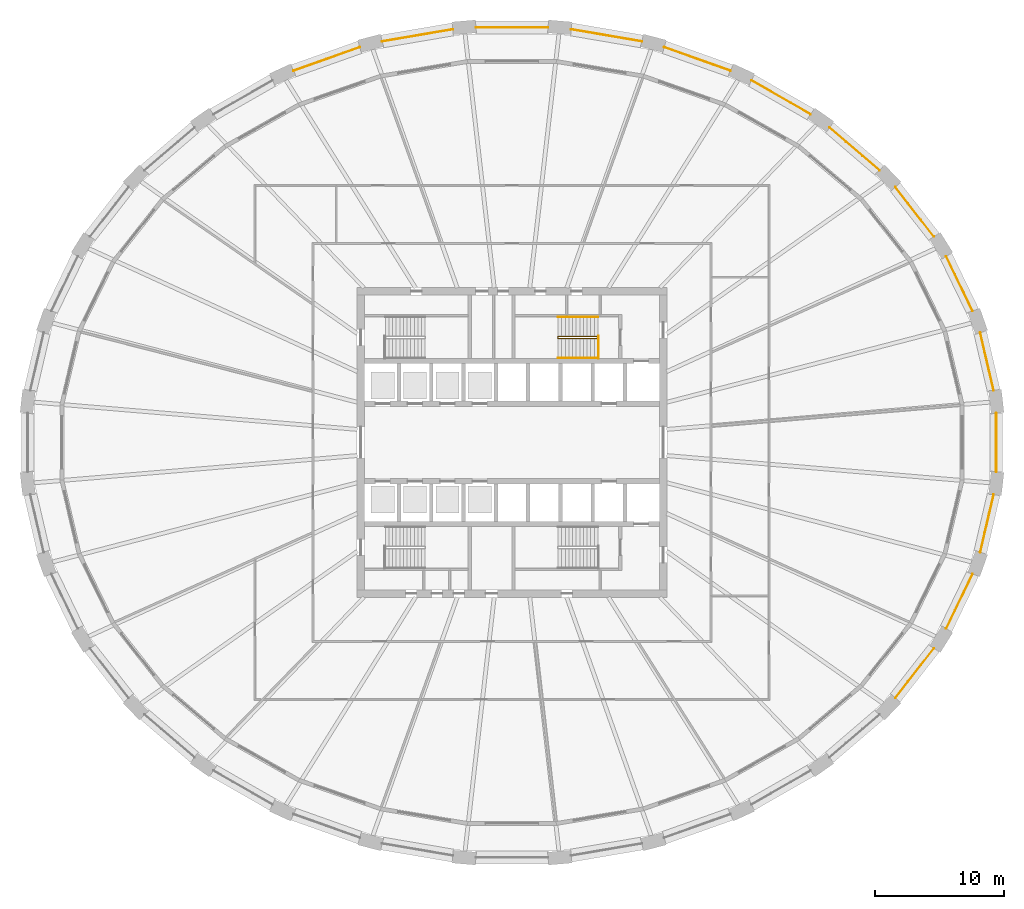
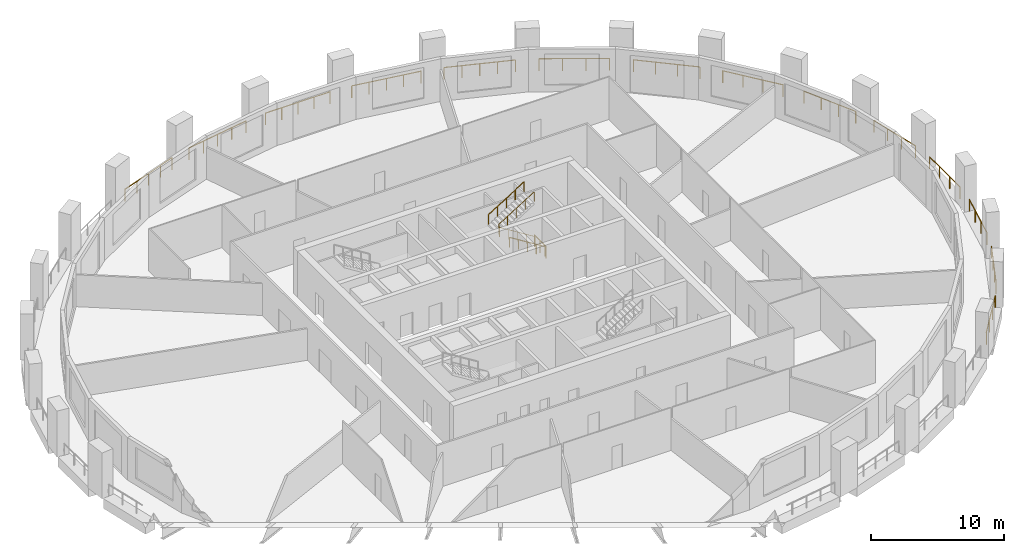
# One storey, part 10 of 11: 18 railings.
"""IFC4 building model written with IfcOpenShell, lengths in metres."""

from ifc_helpers import new_model, si_unit, direction, frame, origin, origin_2d, place, context, subcontext, project, spatial, circle, extrude, material, type_object, element, save


model = new_model("IFC4")

# Units and contexts
model_context = context("Model", 3, precision=1e-05, world=origin(), true_north=direction((0.0, 1.0)))
body_context = subcontext(model_context, "Body", "Model", "MODEL_VIEW")
ifc_project = project(units=[si_unit("LENGTHUNIT", "METRE"), si_unit("AREAUNIT", "SQUARE_METRE"), si_unit("VOLUMEUNIT", "CUBIC_METRE"), si_unit("PLANEANGLEUNIT", "RADIAN"), si_unit("MASSUNIT", "GRAM", prefix="KILO")], contexts=[model_context])

# Site, building, storey
site_placement = place(None, origin())
site = spatial("IfcSite", under=ifc_project, at=site_placement, CompositionType="ELEMENT")
building_placement = place(site_placement, origin())
building = spatial("IfcBuilding", under=site, at=building_placement, Name="Halqa Exchange Tower", CompositionType="ELEMENT")
storey_placement = place(building_placement, frame((0.0, 0.0, 36.10009765625)))
storey = spatial("IfcBuildingStorey", under=building, at=storey_placement, Name="L07", CompositionType="ELEMENT", Elevation=36.10009765625)

# Railings
ifc_material = material(Name="Stainless steel", Category="steel")
railing_type_1 = type_object("IfcRailingType", Name="Guard 1100 stainless steel", PredefinedType="GUARDRAIL", material=ifc_material)
railing_1_placement = place(storey_placement, frame((37.273193359375, 4.04052734375, 0.0)))
element("IfcRailing", 1, at=railing_1_placement, inside=storey, type_object=railing_type_1, Name="Loggia guard 1", PredefinedType="GUARDRAIL", context=body_context, shape_type="SweptSolid", body=[
    extrude(circle(Radius=0.02392578125, at=origin_2d()), frame((0.0, 0.0, 1.076171875), z_axis=(-0.226088077244, 0.974106863403, 0.0), x_axis=(-0.974106863403, -0.226088077244, 0.0)), (0.0, 0.0, 1.0), 4.571044921875),
    extrude(circle(Radius=0.02099609375, at=origin_2d()), origin(), (0.0, 0.0, 1.0), 1.052001953125),
    extrude(circle(Radius=0.02099609375, at=origin_2d()), frame((-0.344482421875, 1.484130859375, 0.0)), (0.0, 0.0, 1.0), 1.052001953125),
    extrude(circle(Radius=0.02099609375, at=origin_2d()), frame((-0.68896484375, 2.968505859375, 0.0)), (0.0, 0.0, 1.0), 1.052001953125),
    extrude(circle(Radius=0.02099609375, at=origin_2d()), frame((-1.033447265625, 4.45263671875, 0.0)), (0.0, 0.0, 1.0), 1.052001953125),
])
railing_2_placement = place(storey_placement, frame((35.644775390625, 10.18017578125, 0.0)))
element("IfcRailing", 2, at=railing_2_placement, inside=storey, type_object=railing_type_1, Name="Loggia guard 2", PredefinedType="GUARDRAIL", context=body_context, shape_type="SweptSolid", body=[
    extrude(circle(Radius=0.02392578125, at=origin_2d()), frame((0.0, 0.0, 1.076171875), z_axis=(-0.435124379728, 0.900370353891, 0.0), x_axis=(-0.900370353891, -0.435124379728, 0.0)), (0.0, 0.0, 1.0), 4.69287109375),
    extrude(circle(Radius=0.02099609375, at=origin_2d()), origin(), (0.0, 0.0, 1.0), 1.052001953125),
    extrude(circle(Radius=0.02099609375, at=origin_2d()), frame((-0.6806640625, 1.408447265625, 0.0)), (0.0, 0.0, 1.0), 1.052001953125),
    extrude(circle(Radius=0.02099609375, at=origin_2d()), frame((-1.361328125, 2.81689453125, 0.0)), (0.0, 0.0, 1.0), 1.052001953125),
    extrude(circle(Radius=0.02099609375, at=origin_2d()), frame((-2.0419921875, 4.225341796875, 0.0)), (0.0, 0.0, 1.0), 1.052001953125),
])
railing_3_placement = place(storey_placement, frame((32.657958984375, 15.925537109375, 0.0)))
element("IfcRailing", 3, at=railing_3_placement, inside=storey, type_object=railing_type_1, Name="Loggia guard 3", PredefinedType="GUARDRAIL", context=body_context, shape_type="SweptSolid", body=[
    extrude(circle(Radius=0.02392578125, at=origin_2d()), frame((0.0, 0.0, 1.076171875), z_axis=(-0.614779979903, 0.788698660016, 0.0), x_axis=(-0.788698660016, -0.614779979903, 0.0)), (0.0, 0.0, 1.0), 4.87109375),
    extrude(circle(Radius=0.02099609375, at=origin_2d()), origin(), (0.0, 0.0, 1.0), 1.052001953125),
    extrude(circle(Radius=0.02099609375, at=origin_2d()), frame((-0.998291015625, 1.280517578125, 0.0)), (0.0, 0.0, 1.0), 1.052001953125),
    extrude(circle(Radius=0.02099609375, at=origin_2d()), frame((-1.996337890625, 2.561279296875, 0.0)), (0.0, 0.0, 1.0), 1.052001953125),
    extrude(circle(Radius=0.02099609375, at=origin_2d()), frame((-2.99462890625, 3.841796875, 0.0)), (0.0, 0.0, 1.0), 1.052001953125),
])
railing_4_placement = place(storey_placement, frame((28.4267578125, 21.062744140625, 0.0)))
element("IfcRailing", 4, at=railing_4_placement, inside=storey, type_object=railing_type_1, Name="Loggia guard 4", PredefinedType="GUARDRAIL", context=body_context, shape_type="SweptSolid", body=[
    extrude(circle(Radius=0.02392578125, at=origin_2d()), frame((0.0, 0.0, 1.076171875), z_axis=(-0.759259997871, 0.650787412012, 0.0), x_axis=(-0.650787412012, -0.759259997871, 0.0)), (0.0, 0.0, 1.0), 5.075439453125),
    extrude(circle(Radius=0.02099609375, at=origin_2d()), origin(), (0.0, 0.0, 1.0), 1.052001953125),
    extrude(circle(Radius=0.02099609375, at=origin_2d()), frame((-1.284423828125, 1.10107421875, 0.0)), (0.0, 0.0, 1.0), 1.052001953125),
    extrude(circle(Radius=0.02099609375, at=origin_2d()), frame((-2.569091796875, 2.201904296875, 0.0)), (0.0, 0.0, 1.0), 1.052001953125),
    extrude(circle(Radius=0.02099609375, at=origin_2d()), frame((-3.853515625, 3.302978515625, 0.0)), (0.0, 0.0, 1.0), 1.052001953125),
])
railing_5_placement = place(storey_placement, frame((23.10888671875, 25.398681640625, 0.0)))
element("IfcRailing", 5, at=railing_5_placement, inside=storey, type_object=railing_type_1, Name="Loggia guard 5", PredefinedType="GUARDRAIL", context=body_context, shape_type="SweptSolid", body=[
    extrude(circle(Radius=0.02392578125, at=origin_2d()), frame((0.0, 0.0, 1.076171875), z_axis=(-0.867761260973, 0.496981281292, 0.0), x_axis=(-0.496981281292, -0.867761260973, 0.0)), (0.0, 0.0, 1.0), 5.2734375),
    extrude(circle(Radius=0.02099609375, at=origin_2d()), origin(), (0.0, 0.0, 1.0), 1.052001953125),
    extrude(circle(Radius=0.02099609375, at=origin_2d()), frame((-1.525390625, 0.87353515625, 0.0)), (0.0, 0.0, 1.0), 1.052001953125),
    extrude(circle(Radius=0.02099609375, at=origin_2d()), frame((-3.05078125, 1.747314453125, 0.0)), (0.0, 0.0, 1.0), 1.052001953125),
    extrude(circle(Radius=0.02099609375, at=origin_2d()), frame((-4.576171875, 2.620849609375, 0.0)), (0.0, 0.0, 1.0), 1.052001953125),
])
railing_6_placement = place(storey_placement, frame((16.90380859375, 28.767822265625, 0.0)))
element("IfcRailing", 6, at=railing_6_placement, inside=storey, type_object=railing_type_1, Name="Loggia guard 6", PredefinedType="GUARDRAIL", context=body_context, shape_type="SweptSolid", body=[
    extrude(circle(Radius=0.02392578125, at=origin_2d()), frame((0.0, 0.0, 1.076171875), z_axis=(-0.942367022026, 0.334580925634, 0.0), x_axis=(-0.334580925634, -0.942367022026, 0.0)), (0.0, 0.0, 1.0), 5.437744140625),
    extrude(circle(Radius=0.02099609375, at=origin_2d()), origin(), (0.0, 0.0, 1.0), 1.052001953125),
    extrude(circle(Radius=0.02099609375, at=origin_2d()), frame((-1.281005859375, 0.454833984375, 0.0)), (0.0, 0.0, 1.0), 1.052001953125),
    extrude(circle(Radius=0.02099609375, at=origin_2d()), frame((-2.56201171875, 0.90966796875, 0.0)), (0.0, 0.0, 1.0), 1.052001953125),
    extrude(circle(Radius=0.02099609375, at=origin_2d()), frame((-3.84326171875, 1.364501953125, 0.0)), (0.0, 0.0, 1.0), 1.052001953125),
    extrude(circle(Radius=0.02099609375, at=origin_2d()), frame((-5.124267578125, 1.8193359375, 0.0)), (0.0, 0.0, 1.0), 1.052001953125),
])
railing_7_placement = place(storey_placement, frame((10.044189453125, 31.03955078125, 0.0)))
element("IfcRailing", 7, at=railing_7_placement, inside=storey, type_object=railing_type_1, Name="Loggia guard 7", PredefinedType="GUARDRAIL", context=body_context, shape_type="SweptSolid", body=[
    extrude(circle(Radius=0.02392578125, at=origin_2d()), frame((0.0, 0.0, 1.076171875), z_axis=(-0.985775416456, 0.168067927667, 0.0), x_axis=(-0.168067927667, -0.985775416456, 0.0)), (0.0, 0.0, 1.0), 5.544677734375),
    extrude(circle(Radius=0.02099609375, at=origin_2d()), origin(), (0.0, 0.0, 1.0), 1.052001953125),
    extrude(circle(Radius=0.02099609375, at=origin_2d()), frame((-1.366455078125, 0.23291015625, 0.0)), (0.0, 0.0, 1.0), 1.052001953125),
    extrude(circle(Radius=0.02099609375, at=origin_2d()), frame((-2.73291015625, 0.4658203125, 0.0)), (0.0, 0.0, 1.0), 1.052001953125),
    extrude(circle(Radius=0.02099609375, at=origin_2d()), frame((-4.099365234375, 0.698974609375, 0.0)), (0.0, 0.0, 1.0), 1.052001953125),
    extrude(circle(Radius=0.02099609375, at=origin_2d()), frame((-5.4658203125, 0.931884765625, 0.0)), (0.0, 0.0, 1.0), 1.052001953125),
])
railing_8_placement = place(storey_placement, frame((2.791015625, 32.122802734375, 0.0)))
element("IfcRailing", 8, at=railing_8_placement, inside=storey, type_object=railing_type_1, Name="Loggia guard 8", PredefinedType="GUARDRAIL", context=body_context, shape_type="SweptSolid", body=[
    extrude(circle(Radius=0.02392578125, at=origin_2d()), frame((0.0, 0.0, 1.076171875), z_axis=(-1.0, 0.0, 0.0), x_axis=(0.0, -1.0, 0.0)), (0.0, 0.0, 1.0), 5.58203125),
    extrude(circle(Radius=0.02099609375, at=origin_2d()), origin(), (0.0, 0.0, 1.0), 1.052001953125),
    extrude(circle(Radius=0.02099609375, at=origin_2d()), frame((-1.3955078125, 0.0, 0.0)), (0.0, 0.0, 1.0), 1.052001953125),
    extrude(circle(Radius=0.02099609375, at=origin_2d()), frame((-2.791015625, 0.0, 0.0)), (0.0, 0.0, 1.0), 1.052001953125),
    extrude(circle(Radius=0.02099609375, at=origin_2d()), frame((-4.1865234375, 0.0, 0.0)), (0.0, 0.0, 1.0), 1.052001953125),
    extrude(circle(Radius=0.02099609375, at=origin_2d()), frame((-5.58203125, 0.0, 0.0)), (0.0, 0.0, 1.0), 1.052001953125),
])
railing_9_placement = place(storey_placement, frame((-4.578369140625, 31.971435546875, 0.0)))
element("IfcRailing", 9, at=railing_9_placement, inside=storey, type_object=railing_type_1, Name="Loggia guard 9", PredefinedType="GUARDRAIL", context=body_context, shape_type="SweptSolid", body=[
    extrude(circle(Radius=0.02392578125, at=origin_2d()), frame((0.0, 0.0, 1.076171875), z_axis=(-0.985775416456, -0.168067927667, 0.0), x_axis=(0.168067927667, -0.985775416456, 0.0)), (0.0, 0.0, 1.0), 5.544677734375),
    extrude(circle(Radius=0.02099609375, at=origin_2d()), origin(), (0.0, 0.0, 1.0), 1.052001953125),
    extrude(circle(Radius=0.02099609375, at=origin_2d()), frame((-1.366455078125, -0.23291015625, 0.0)), (0.0, 0.0, 1.0), 1.052001953125),
    extrude(circle(Radius=0.02099609375, at=origin_2d()), frame((-2.73291015625, -0.4658203125, 0.0)), (0.0, 0.0, 1.0), 1.052001953125),
    extrude(circle(Radius=0.02099609375, at=origin_2d()), frame((-4.099365234375, -0.698974609375, 0.0)), (0.0, 0.0, 1.0), 1.052001953125),
    extrude(circle(Radius=0.02099609375, at=origin_2d()), frame((-5.4658203125, -0.931884765625, 0.0)), (0.0, 0.0, 1.0), 1.052001953125),
])
railing_10_placement = place(storey_placement, frame((-11.779541015625, 30.587158203125, 0.0)))
element("IfcRailing", 10, at=railing_10_placement, inside=storey, type_object=railing_type_1, Name="Loggia guard 10", PredefinedType="GUARDRAIL", context=body_context, shape_type="SweptSolid", body=[
    extrude(circle(Radius=0.02392578125, at=origin_2d()), frame((0.0, 0.0, 1.076171875), z_axis=(-0.942367022026, -0.334580925634, 0.0), x_axis=(0.334580925634, -0.942367022026, 0.0)), (0.0, 0.0, 1.0), 5.437744140625),
    extrude(circle(Radius=0.02099609375, at=origin_2d()), origin(), (0.0, 0.0, 1.0), 1.052001953125),
    extrude(circle(Radius=0.02099609375, at=origin_2d()), frame((-1.281005859375, -0.454833984375, 0.0)), (0.0, 0.0, 1.0), 1.052001953125),
    extrude(circle(Radius=0.02099609375, at=origin_2d()), frame((-2.56201171875, -0.90966796875, 0.0)), (0.0, 0.0, 1.0), 1.052001953125),
    extrude(circle(Radius=0.02099609375, at=origin_2d()), frame((-3.84326171875, -1.364501953125, 0.0)), (0.0, 0.0, 1.0), 1.052001953125),
    extrude(circle(Radius=0.02099609375, at=origin_2d()), frame((-5.124267578125, -1.8193359375, 0.0)), (0.0, 0.0, 1.0), 1.052001953125),
])
railing_11_placement = place(storey_placement, frame((29.663330078125, -19.767333984375, 0.0)))
element("IfcRailing", 11, at=railing_11_placement, inside=storey, type_object=railing_type_1, Name="Loggia guard 29", PredefinedType="GUARDRAIL", context=body_context, shape_type="SweptSolid", body=[
    extrude(circle(Radius=0.02392578125, at=origin_2d()), frame((0.0, 0.0, 1.076171875), z_axis=(0.614779979903, 0.788698660016, 0.0), x_axis=(-0.788698660016, 0.614779979903, 0.0)), (0.0, 0.0, 1.0), 4.87109375),
    extrude(circle(Radius=0.02099609375, at=origin_2d()), origin(), (0.0, 0.0, 1.0), 1.052001953125),
    extrude(circle(Radius=0.02099609375, at=origin_2d()), frame((0.998291015625, 1.280517578125, 0.0)), (0.0, 0.0, 1.0), 1.052001953125),
    extrude(circle(Radius=0.02099609375, at=origin_2d()), frame((1.996337890625, 2.561279296875, 0.0)), (0.0, 0.0, 1.0), 1.052001953125),
    extrude(circle(Radius=0.02099609375, at=origin_2d()), frame((2.99462890625, 3.841796875, 0.0)), (0.0, 0.0, 1.0), 1.052001953125),
])
railing_12_placement = place(storey_placement, frame((33.602783203125, -14.405517578125, 0.0)))
element("IfcRailing", 12, at=railing_12_placement, inside=storey, type_object=railing_type_1, Name="Loggia guard 30", PredefinedType="GUARDRAIL", context=body_context, shape_type="SweptSolid", body=[
    extrude(circle(Radius=0.02392578125, at=origin_2d()), frame((0.0, 0.0, 1.076171875), z_axis=(0.435124379728, 0.900370353891, 0.0), x_axis=(-0.900370353891, 0.435124379728, 0.0)), (0.0, 0.0, 1.0), 4.69287109375),
    extrude(circle(Radius=0.02099609375, at=origin_2d()), origin(), (0.0, 0.0, 1.0), 1.052001953125),
    extrude(circle(Radius=0.02099609375, at=origin_2d()), frame((0.6806640625, 1.408447265625, 0.0)), (0.0, 0.0, 1.0), 1.052001953125),
    extrude(circle(Radius=0.02099609375, at=origin_2d()), frame((1.361328125, 2.81689453125, 0.0)), (0.0, 0.0, 1.0), 1.052001953125),
    extrude(circle(Radius=0.02099609375, at=origin_2d()), frame((2.0419921875, 4.225341796875, 0.0)), (0.0, 0.0, 1.0), 1.052001953125),
])
railing_13_placement = place(storey_placement, frame((36.23974609375, -8.4931640625, 0.0)))
element("IfcRailing", 13, at=railing_13_placement, inside=storey, type_object=railing_type_1, Name="Loggia guard 31", PredefinedType="GUARDRAIL", context=body_context, shape_type="SweptSolid", body=[
    extrude(circle(Radius=0.02392578125, at=origin_2d()), frame((0.0, 0.0, 1.076171875), z_axis=(0.226088077244, 0.974106863403, 0.0), x_axis=(-0.974106863403, 0.226088077244, 0.0)), (0.0, 0.0, 1.0), 4.571044921875),
    extrude(circle(Radius=0.02099609375, at=origin_2d()), origin(), (0.0, 0.0, 1.0), 1.052001953125),
    extrude(circle(Radius=0.02099609375, at=origin_2d()), frame((0.344482421875, 1.484130859375, 0.0)), (0.0, 0.0, 1.0), 1.052001953125),
    extrude(circle(Radius=0.02099609375, at=origin_2d()), frame((0.68896484375, 2.968505859375, 0.0)), (0.0, 0.0, 1.0), 1.052001953125),
    extrude(circle(Radius=0.02099609375, at=origin_2d()), frame((1.033447265625, 4.45263671875, 0.0)), (0.0, 0.0, 1.0), 1.052001953125),
])
railing_14_placement = place(storey_placement, frame((37.4765625, -2.263916015625, 0.0)))
element("IfcRailing", 14, at=railing_14_placement, inside=storey, type_object=railing_type_1, Name="Loggia guard 32", PredefinedType="GUARDRAIL", context=body_context, shape_type="SweptSolid", body=[
    extrude(circle(Radius=0.02392578125, at=origin_2d()), frame((0.0, 0.0, 1.076171875), z_axis=(0.0, 1.0, 0.0), x_axis=(-1.0, 0.0, 0.0)), (0.0, 0.0, 1.0), 4.52783203125),
    extrude(circle(Radius=0.02099609375, at=origin_2d()), origin(), (0.0, 0.0, 1.0), 1.052001953125),
    extrude(circle(Radius=0.02099609375, at=origin_2d()), frame((0.0, 1.50927734375, 0.0)), (0.0, 0.0, 1.0), 1.052001953125),
    extrude(circle(Radius=0.02099609375, at=origin_2d()), frame((0.0, 3.0185546875, 0.0)), (0.0, 0.0, 1.0), 1.052001953125),
    extrude(circle(Radius=0.02099609375, at=origin_2d()), frame((0.0, 4.52783203125, 0.0)), (0.0, 0.0, 1.0), 1.052001953125),
])
railing_type_2 = type_object("IfcRailingType", Name="Stair handrail 900", PredefinedType="HANDRAIL", material=ifc_material)
railing_15_placement = place(storey_placement, frame((6.64990234375, 8.06005859375, 0.1748046875)))
element("IfcRailing", 15, at=railing_15_placement, inside=storey, type_object=railing_type_2, Name="Handrail ST2.1", PredefinedType="HANDRAIL", context=body_context, shape_type="SweptSolid", body=[
    extrude(circle(Radius=0.02392578125, at=origin_2d()), frame((0.0, 0.0, 0.8759765625), z_axis=(-0.847979421464, 0.0, 0.530029150871), x_axis=(0.0, -1.0, 0.0)), (0.0, 0.0, 1.0), 3.632080078125),
    extrude(circle(Radius=0.02392578125, at=origin_2d()), frame((-3.079833984375, 0.0, 2.80078125), z_axis=(0.0, 0.595870227118, 0.803080738428), x_axis=(-1.0, 0.0, 0.0)), (0.0, 0.0, 1.0), 0.218017578125),
    extrude(circle(Radius=0.02392578125, at=origin_2d()), frame((-3.079833984375, 0.1298828125, 2.97607421875), z_axis=(0.847979421464, 0.0, 0.530029150871), x_axis=(0.0, 1.0, 0.0)), (0.0, 0.0, 1.0), 3.632080078125),
    extrude(circle(Radius=0.02099609375, at=origin_2d()), origin(), (0.0, 0.0, 1.0), 0.851806640625),
    extrude(circle(Radius=0.02099609375, at=origin_2d()), frame((-0.77001953125, 0.0, 0.481201171875)), (0.0, 0.0, 1.0), 0.851806640625),
    extrude(circle(Radius=0.02099609375, at=origin_2d()), frame((-1.5400390625, 0.0, 0.96240234375)), (0.0, 0.0, 1.0), 0.851806640625),
    extrude(circle(Radius=0.02099609375, at=origin_2d()), frame((-2.309814453125, 0.0, 1.44384765625)), (0.0, 0.0, 1.0), 0.851806640625),
    extrude(circle(Radius=0.02099609375, at=origin_2d()), frame((-3.079833984375, 0.0, 1.925048828125)), (0.0, 0.0, 1.0), 0.851806640625),
    extrude(circle(Radius=0.02099609375, at=origin_2d()), frame((-3.079833984375, 0.1298828125, 2.10009765625)), (0.0, 0.0, 1.0), 0.851806640625),
    extrude(circle(Radius=0.02099609375, at=origin_2d()), frame((-2.309814453125, 0.1298828125, 2.581298828125)), (0.0, 0.0, 1.0), 0.851806640625),
    extrude(circle(Radius=0.02099609375, at=origin_2d()), frame((-1.5400390625, 0.1298828125, 3.0625)), (0.0, 0.0, 1.0), 0.851806640625),
    extrude(circle(Radius=0.02099609375, at=origin_2d()), frame((-0.77001953125, 0.1298828125, 3.5439453125)), (0.0, 0.0, 1.0), 0.851806640625),
    extrude(circle(Radius=0.02099609375, at=origin_2d()), frame((0.0, 0.1298828125, 4.025146484375)), (0.0, 0.0, 1.0), 0.851806640625),
])
railing_16_placement = place(storey_placement, frame((6.64990234375, 6.550048828125, 0.1748046875)))
element("IfcRailing", 16, at=railing_16_placement, inside=storey, type_object=railing_type_2, Name="Handrail ST2.2", PredefinedType="HANDRAIL", context=body_context, shape_type="SweptSolid", body=[
    extrude(circle(Radius=0.02392578125, at=origin_2d()), frame((0.0, 0.0, 0.8759765625), z_axis=(-0.847979421464, 0.0, 0.530029150871), x_axis=(0.0, -1.0, 0.0)), (0.0, 0.0, 1.0), 3.632080078125),
    extrude(circle(Radius=0.02099609375, at=origin_2d()), origin(), (0.0, 0.0, 1.0), 0.851806640625),
    extrude(circle(Radius=0.02099609375, at=origin_2d()), frame((-0.77001953125, 0.0, 0.481201171875)), (0.0, 0.0, 1.0), 0.851806640625),
    extrude(circle(Radius=0.02099609375, at=origin_2d()), frame((-1.5400390625, 0.0, 0.96240234375)), (0.0, 0.0, 1.0), 0.851806640625),
    extrude(circle(Radius=0.02099609375, at=origin_2d()), frame((-2.309814453125, 0.0, 1.44384765625)), (0.0, 0.0, 1.0), 0.851806640625),
    extrude(circle(Radius=0.02099609375, at=origin_2d()), frame((-3.079833984375, 0.0, 1.925048828125)), (0.0, 0.0, 1.0), 0.851806640625),
])
railing_17_placement = place(storey_placement, frame((3.570068359375, 9.699951171875, 2.27490234375)))
element("IfcRailing", 17, at=railing_17_placement, inside=storey, type_object=railing_type_2, Name="Handrail ST2.3", PredefinedType="HANDRAIL", context=body_context, shape_type="SweptSolid", body=[
    extrude(circle(Radius=0.02392578125, at=origin_2d()), frame((0.0, 0.0, 0.8759765625), z_axis=(0.847979421464, 0.0, 0.530029150871), x_axis=(0.0, 1.0, 0.0)), (0.0, 0.0, 1.0), 3.632080078125),
    extrude(circle(Radius=0.02099609375, at=origin_2d()), origin(), (0.0, 0.0, 1.0), 0.851806640625),
    extrude(circle(Radius=0.02099609375, at=origin_2d()), frame((0.77001953125, 0.0, 0.481201171875)), (0.0, 0.0, 1.0), 0.851806640625),
    extrude(circle(Radius=0.02099609375, at=origin_2d()), frame((1.5400390625, 0.0, 0.96240234375)), (0.0, 0.0, 1.0), 0.851806640625),
    extrude(circle(Radius=0.02099609375, at=origin_2d()), frame((2.309814453125, 0.0, 1.44384765625)), (0.0, 0.0, 1.0), 0.851806640625),
    extrude(circle(Radius=0.02099609375, at=origin_2d()), frame((3.079833984375, 0.0, 1.925048828125)), (0.0, 0.0, 1.0), 0.851806640625),
])
railing_type_3 = type_object("IfcRailingType", Name="Stair well guard 1100", PredefinedType="GUARDRAIL", material=ifc_material)
railing_18_placement = place(storey_placement, frame((6.699951171875, 6.5, 0.0)))
element("IfcRailing", 18, at=railing_18_placement, inside=storey, type_object=railing_type_3, Name="Guard ST2 well", PredefinedType="GUARDRAIL", context=body_context, shape_type="SweptSolid", body=[
    extrude(circle(Radius=0.02392578125, at=origin_2d()), frame((0.0, 0.0, 1.076171875), z_axis=(0.0, 1.0, 0.0), x_axis=(-1.0, 0.0, 0.0)), (0.0, 0.0, 1.0), 1.75),
    extrude(circle(Radius=0.02099609375, at=origin_2d()), origin(), (0.0, 0.0, 1.0), 1.052001953125),
    extrude(circle(Radius=0.02099609375, at=origin_2d()), frame((0.0, 0.875, 0.0)), (0.0, 0.0, 1.0), 1.052001953125),
    extrude(circle(Radius=0.02099609375, at=origin_2d()), frame((0.0, 1.75, 0.0)), (0.0, 0.0, 1.0), 1.052001953125),
])

save(model, "model.ifc")
